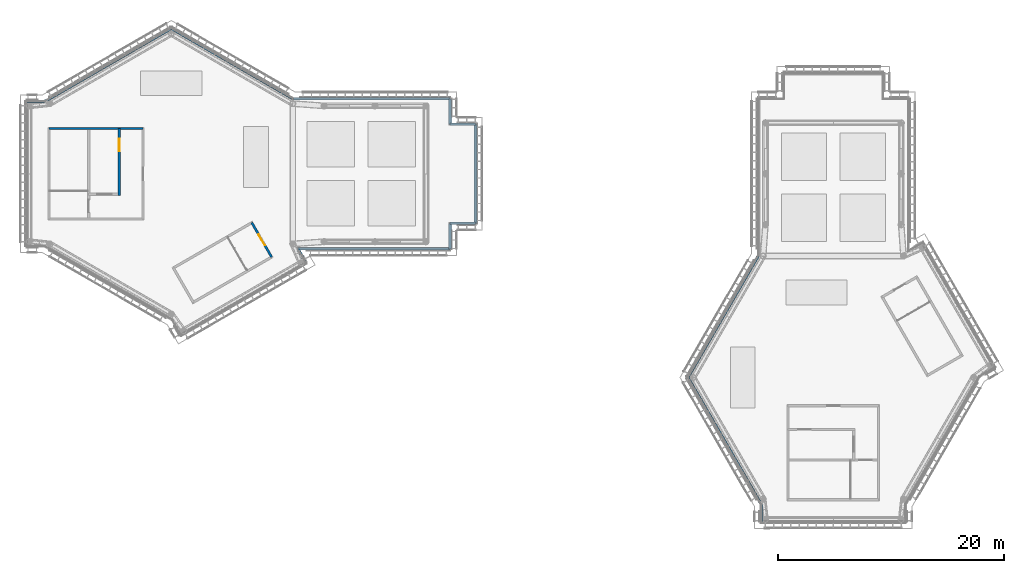
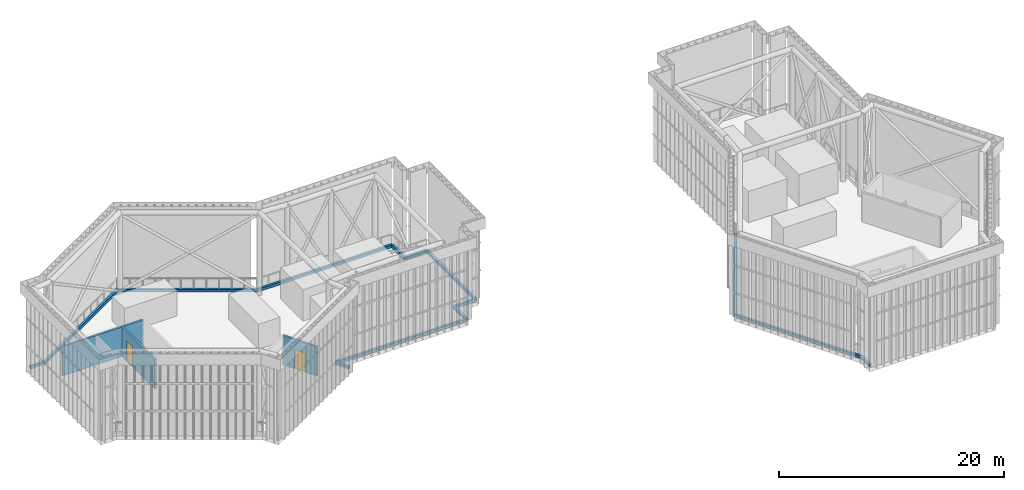
# One storey, part 8 of 17: 17 walls, 2 doors, 2 openings.
"""IFC4 building model written with IfcOpenShell, lengths in metres."""

import ifcopenshell
import ifcopenshell.guid

model = None  # the IFC model being written
_history = None  # IfcOwnerHistory: only IFC2X3 demands one
_inside = {}  # id of a spatial element -> (the spatial element, [elements in it])
_under = {}  # id of a project, library or spatial element -> (it, [spatial elements below it])
_declared = {}  # id of a project -> (the project, [libraries it declares])
_typed = {}  # id of a type object -> (the type object, [elements of that type])
_made_of = {}  # id of a material, layer set ... -> (it, [elements and type objects made of it])


def new_model(schema):
    """Start an empty IFC model of exactly this schema.

    Asked for "IFC4X3", IfcOpenShell would pick the latest addendum, in which some entities
    have other attributes; the version numbers below select the first issue.
    IFC2X3 requires an IfcOwnerHistory on every rooted entity: one is made here for all.
    """
    global model, _history
    if schema == "IFC4X3":
        model = ifcopenshell.file(schema_version=(4, 3, 0, 0))
    else:
        model = ifcopenshell.file(schema=schema)
    _inside.clear()
    _under.clear()
    _declared.clear()
    _typed.clear()
    _made_of.clear()
    _history = None
    if model.schema == "IFC2X3":
        org = make("IfcOrganization", Name="unknown")
        user = make(
            "IfcPersonAndOrganization",
            ThePerson=make("IfcPerson", FamilyName="unknown"),
            TheOrganization=org,
        )
        app = make(
            "IfcApplication",
            ApplicationDeveloper=org,
            Version="unknown",
            ApplicationFullName="unknown",
            ApplicationIdentifier="unknown",
        )
        _history = make(
            "IfcOwnerHistory",
            OwningUser=user,
            OwningApplication=app,
            ChangeAction="ADDED",
            CreationDate=0,
        )
    return model


def make(cls, **values):
    """One entity of the class cls with the attributes given. An attribute that is None is left unset."""
    return model.create_entity(
        cls, **{name: value for name, value in values.items() if value is not None}
    )


def rooted(cls, **values):
    """An entity with a GlobalId (a new one), such as an element, a storey or a relation."""
    return make(cls, GlobalId=ifcopenshell.guid.new(), OwnerHistory=_history, **values)


def si_unit(unit_type, name, prefix=None):
    """IfcSIUnit, for example si_unit("LENGTHUNIT", "METRE", prefix="MILLI")."""
    return make("IfcSIUnit", UnitType=unit_type, Prefix=prefix, Name=name)


def assignment(units):
    """IfcUnitAssignment: the units of a project."""
    return None if units is None else make("IfcUnitAssignment", Units=units)


def point(xyz):
    """IfcCartesianPoint."""
    return None if xyz is None else make("IfcCartesianPoint", Coordinates=xyz)


def direction(xyz):
    """IfcDirection."""
    return None if xyz is None else make("IfcDirection", DirectionRatios=xyz)


def frame(location, z_axis=None, x_axis=None):
    """IfcAxis2Placement3D, a coordinate frame: its origin and axes. An axis left out is left unset."""
    return make(
        "IfcAxis2Placement3D",
        Location=point(location),
        Axis=direction(z_axis),
        RefDirection=direction(x_axis),
    )


def frame_2d(location, x_axis=None):
    """IfcAxis2Placement2D, a coordinate frame in the plane: its origin and x axis."""
    return make(
        "IfcAxis2Placement2D", Location=point(location), RefDirection=direction(x_axis)
    )


def origin():
    """The frame at (0, 0, 0) with its axes left unset."""
    return frame((0.0, 0.0, 0.0))


def place(relative_to, where):
    """IfcLocalPlacement: puts the frame where relative to a parent placement (None: the world)."""
    return make(
        "IfcLocalPlacement", PlacementRelTo=relative_to, RelativePlacement=where
    )


def context(
    kind, dimensions, precision=None, world=None, true_north=None, identifier=None
):
    """IfcGeometricRepresentationContext, for example the 3D "Model" context."""
    return make(
        "IfcGeometricRepresentationContext",
        ContextIdentifier=identifier,
        ContextType=kind,
        CoordinateSpaceDimension=dimensions,
        Precision=precision,
        WorldCoordinateSystem=world,
        TrueNorth=true_north,
    )


def subcontext(parent, identifier, kind, view, scale=None):
    """IfcGeometricRepresentationSubContext, for example "Body" below "Model"."""
    return make(
        "IfcGeometricRepresentationSubContext",
        ContextIdentifier=identifier,
        ContextType=kind,
        ParentContext=parent,
        TargetScale=scale,
        TargetView=view,
    )


def project(units=None, contexts=None):
    """IfcProject with its units and contexts."""
    return rooted(
        "IfcProject",
        Name="project",
        RepresentationContexts=contexts,
        UnitsInContext=assignment(units),
    )


def spatial(cls, under=None, at=None, **own):
    """A site, building, storey or space (cls), placed at a placement, below another one or the project."""
    s = rooted(cls, ObjectPlacement=at, **own)
    if under is not None:
        _under.setdefault(under.id(), (under, []))[1].append(s)
    return s


def profile(cls, at=None, kind="AREA", **sizes):
    """A parametric profile (cls). Its sizes go by their IFC names, for example OverallWidth=200.0."""
    return make(cls, ProfileType=kind, Position=at, **sizes)


def rectangle(**sizes):
    """IfcRectangleProfileDef."""
    return profile("IfcRectangleProfileDef", **sizes)


def extrude(swept, where, along, depth):
    """IfcExtrudedAreaSolid: the profile swept, set in the frame where, extruded along a direction by depth."""
    return make(
        "IfcExtrudedAreaSolid",
        SweptArea=swept,
        Position=where,
        ExtrudedDirection=direction(along),
        Depth=depth,
    )


def shape(context_of_items, identifier, shape_type, items):
    """IfcShapeRepresentation: the items that make up one representation, for example the "Body"."""
    return make(
        "IfcShapeRepresentation",
        ContextOfItems=context_of_items,
        RepresentationIdentifier=identifier,
        RepresentationType=shape_type,
        Items=items,
    )


def material(Name=None, Category=None):
    """IfcMaterial."""
    return make("IfcMaterial", Name=Name, Category=Category)


def layer(
    of_material, thickness, ventilated=None, Name=None, Category=None, Priority=None
):
    """IfcMaterialLayer: one layer of a wall or slab, of a material (None: an air gap)."""
    return make(
        "IfcMaterialLayer",
        Material=of_material,
        LayerThickness=thickness,
        IsVentilated=ventilated,
        Name=Name,
        Category=Category,
        Priority=Priority,
    )


def layer_set(layers, Name=None):
    """IfcMaterialLayerSet."""
    return make("IfcMaterialLayerSet", MaterialLayers=layers, LayerSetName=Name)


def made_of(thing, what):
    """Note that an element or type object is made of a material, layer set ...; save() writes the relation."""
    if what is not None:
        _made_of.setdefault(what.id(), (what, []))[1].append(thing)
    return thing


def type_object(cls, material=None, **own):
    """A type object (cls), such as IfcWallType, which elements share."""
    return made_of(rooted(cls, **own), material)


def element(
    cls,
    number,
    at=None,
    inside=None,
    cuts=None,
    type_object=None,
    material=None,
    context=None,
    identifier="Body",
    shape_type=None,
    held_by="IfcProductDefinitionShape",
    body=None,
    shapes=None,
    **own,
):
    """One element of the class cls, such as IfcWall. Its Tag is "e" and its number.

    at: its placement. inside: the storey or other place that contains it. cuts: it is an
    opening in that element (IfcRelVoidsElement). A single representation is given by context,
    identifier, shape_type and body (its items); several are given by shapes. held_by: the class
    of the entity that holds the representations. save() writes the other relations.
    """
    e = rooted(cls, Tag="e%d" % number, ObjectPlacement=at, **own)
    if body is not None:
        shapes = [shape(context, identifier, shape_type, body)]
    if shapes is not None:
        e.Representation = make(held_by, Representations=shapes)
    if inside is not None:
        _inside.setdefault(inside.id(), (inside, []))[1].append(e)
    if cuts is not None:
        rooted(
            "IfcRelVoidsElement", RelatingBuildingElement=cuts, RelatedOpeningElement=e
        )
    if type_object is not None:
        _typed.setdefault(type_object.id(), (type_object, []))[1].append(e)
    return made_of(e, material)


def fill(opening, filler):
    """IfcRelFillsElement: the door or window that sits in an opening."""
    return rooted(
        "IfcRelFillsElement",
        RelatingOpeningElement=opening,
        RelatedBuildingElement=filler,
    )


def aggregate(whole, parts):
    """IfcRelAggregates: a whole, such as a stair, and the parts it consists of."""
    return rooted("IfcRelAggregates", RelatingObject=whole, RelatedObjects=parts)


def save(model, path):
    """Write the relations noted so far, then the file.

    IfcRelAggregates (storeys below a building ...), IfcRelContainedInSpatialStructure (elements
    in a storey), IfcRelDefinesByType, IfcRelAssociatesMaterial and IfcRelDeclares: one each for
    every whole, place, type object, material and project.
    """
    for whole, parts in _under.values():
        aggregate(whole, parts)
    for where, things in _inside.values():
        rooted(
            "IfcRelContainedInSpatialStructure",
            RelatedElements=things,
            RelatingStructure=where,
        )
    for kind, things in _typed.values():
        rooted("IfcRelDefinesByType", RelatedObjects=things, RelatingType=kind)
    for what, things in _made_of.values():
        rooted("IfcRelAssociatesMaterial", RelatedObjects=things, RelatingMaterial=what)
    for by, libraries in _declared.values():
        rooted("IfcRelDeclares", RelatingContext=by, RelatedDefinitions=libraries)
    model.write(path)


model = new_model("IFC4")

# Units and contexts
model_context = context("Model", 3, precision=1e-05, world=origin(), true_north=direction((0.0, 1.0)))
body_context = subcontext(model_context, "Body", "Model", "MODEL_VIEW")
ifc_project = project(units=[si_unit("LENGTHUNIT", "METRE"), si_unit("AREAUNIT", "SQUARE_METRE"), si_unit("VOLUMEUNIT", "CUBIC_METRE"), si_unit("PLANEANGLEUNIT", "RADIAN"), si_unit("MASSUNIT", "GRAM", prefix="KILO")], contexts=[model_context])

# Site, building, storey
site_placement = place(None, origin())
site = spatial("IfcSite", under=ifc_project, at=site_placement, CompositionType="ELEMENT")
building_placement = place(site_placement, origin())
building = spatial("IfcBuilding", under=site, at=building_placement, Name="Upepo Twin Towers", CompositionType="ELEMENT")
storey_placement = place(building_placement, frame((0.0, 0.0, 296.5)))
storey = spatial("IfcBuildingStorey", under=building, at=storey_placement, Name="RF", CompositionType="ELEMENT", Elevation=296.5)

# Wall
ifc_material_1 = material(Name="Concrete C40/50", Category="concrete")
ifc_layer_1 = layer(ifc_material_1, 0.199951171875)
ifc_layer_set_1 = layer_set([ifc_layer_1], Name="Concrete C40/50")
wall_type_1 = type_object("IfcWallType", Name="Podium stair enclosure 200 RC", PredefinedType="SHEAR", material=ifc_layer_set_1)
wall_1_placement = place(storey_placement, frame((-2.5, 4.0, 0.0), z_axis=(0.0, 0.0, 1.0), x_axis=(-1.0, 0.0, 0.0)))
element("IfcWall", 1, at=wall_1_placement, inside=storey, type_object=wall_type_1, Name="T1 core head-house wall 1", PredefinedType="SHEAR", context=body_context, shape_type="SweptSolid", body=[
    extrude(rectangle(XDim=8.308349609375, YDim=0.199951171875, at=frame_2d((4.154296875, 0.0))), origin(), (0.0, 0.0, 1.0), 3.199951171875),
])

# Wall, opening, door
wall_2_placement = place(storey_placement, frame((-4.60009765625, 4.0, 0.0), z_axis=(0.0, 0.0, 1.0), x_axis=(0.0, -1.0, 0.0)))
wall_2 = element("IfcWall", 2, at=wall_2_placement, inside=storey, type_object=wall_type_1, Name="T1 roof lift shaft front wall", PredefinedType="SHEAR", context=body_context, shape_type="SweptSolid", body=[
    extrude(rectangle(XDim=5.89990234375, YDim=0.199951171875, at=frame_2d((2.949951171875, 0.0))), origin(), (0.0, 0.0, 1.0), 3.199951171875),
])
opening_1_placement = place(wall_2_placement, frame((0.89990234375, 0.0, 0.0)))
opening_1 = element("IfcOpeningElement", 3, at=opening_1_placement, cuts=wall_2, Name="Opening LD1", PredefinedType="OPENING", context=body_context, shape_type="SweptSolid", body=[
    extrude(rectangle(XDim=1.10009765625, YDim=2.199951171875, at=frame_2d((0.550048828125, 1.10009765625))), frame((0.0, 0.10986328125, 0.0), z_axis=(0.0, -1.0, 0.0), x_axis=(1.0, 0.0, 0.0)), (0.0, 0.0, 1.0), 0.219970703125),
])
ifc_material_2 = material(Name="Steel doorset", Category="steel")
door_type_1 = type_object("IfcDoorType", Name="Lift landing door 1100", OperationType="DOUBLE_DOOR_SLIDING", PredefinedType="DOOR", material=ifc_material_2)
door_1_placement = place(opening_1_placement, origin())
door_1 = element("IfcDoor", 4, at=door_1_placement, inside=storey, type_object=door_type_1, Name="T1 RF lift SV1 landing door", OperationType="DOUBLE_DOOR_SLIDING", OverallHeight=2.199951171875, OverallWidth=1.10009765625, PredefinedType="DOOR", context=body_context, shape_type="SweptSolid", body=[
    extrude(rectangle(XDim=1.10009765625, YDim=2.199951171875, at=frame_2d((0.550048828125, 1.10009765625))), frame((0.0, 0.02490234375, 0.0), z_axis=(0.0, -1.0, 0.0), x_axis=(1.0, 0.0, 0.0)), (0.0, 0.0, 1.0), 0.050048828125),
])
fill(opening_1, door_1)

wall_3_placement = place(storey_placement, frame((8.8681640625, -7.3603515625, 0.0), z_axis=(0.0, 0.0, 1.0), x_axis=(-0.499993523031, 0.866029143232, 0.0)))
wall_3 = element("IfcWall", 5, at=wall_3_placement, inside=storey, type_object=wall_type_1, Name="T1 stair S2 head-house wall 3", PredefinedType="SHEAR", context=body_context, shape_type="SweptSolid", body=[
    extrude(rectangle(XDim=3.50830078125, YDim=0.199951171875, at=frame_2d((1.754150390625, 0.0))), origin(), (0.0, 0.0, 1.0), 3.199951171875),
])
opening_2_placement = place(wall_3_placement, frame((1.2041015625, 0.0, 0.0)))
opening_2 = element("IfcOpeningElement", 6, at=opening_2_placement, cuts=wall_3, Name="Opening D3", PredefinedType="OPENING", context=body_context, shape_type="SweptSolid", body=[
    extrude(rectangle(XDim=1.10009765625, YDim=2.10009765625, at=frame_2d((0.550048828125, 1.050048828125))), frame((0.0, 0.10986328125, 0.0), z_axis=(0.0, -1.0, 0.0), x_axis=(1.0, 0.0, 0.0)), (0.0, 0.0, 1.0), 0.219970703125),
])
ifc_material_3 = material(Name="Timber doorset", Category="wood")
door_type_2 = type_object("IfcDoorType", Name="Stair door 1100 FD60", OperationType="SINGLE_SWING_LEFT", PredefinedType="DOOR", material=ifc_material_3)
door_2_placement = place(opening_2_placement, origin())
door_2 = element("IfcDoor", 7, at=door_2_placement, inside=storey, type_object=door_type_2, Name="T1 stair S2 roof door", OperationType="SINGLE_SWING_RIGHT", OverallHeight=2.10009765625, OverallWidth=1.10009765625, PredefinedType="DOOR", context=body_context, shape_type="SweptSolid", body=[
    extrude(rectangle(XDim=1.10009765625, YDim=2.10009765625, at=frame_2d((0.550048828125, 1.050048828125))), frame((0.0, 0.02490234375, 0.0), z_axis=(0.0, -1.0, 0.0), x_axis=(1.0, 0.0, 0.0)), (0.0, 0.0, 1.0), 0.050048828125),
])
fill(opening_2, door_2)

# Walls
ifc_material_4 = material(Name="Concrete C40/50", Category="concrete")
ifc_layer_2 = layer(ifc_material_4, 0.25)
ifc_layer_set_2 = layer_set([ifc_layer_2], Name="Concrete C40/50")
wall_type_2 = type_object("IfcWallType", Name="Roof parapet 250 RC", PredefinedType="PARAPET", material=ifc_layer_set_2)
wall_4_placement = place(storey_placement, frame((-12.7333984375, 6.375, 0.0), z_axis=(0.0, 0.0, 1.0), x_axis=(1.0, 0.0, 0.0)))
element("IfcWall", 8, at=wall_4_placement, inside=storey, type_object=wall_type_2, Name="T1 roof parapet 6", PredefinedType="PARAPET", context=body_context, shape_type="SweptSolid", body=[
    extrude(rectangle(XDim=1.508544921875, YDim=0.25, at=frame_2d((0.75439453125, 0.0))), origin(), (0.0, 0.0, 1.0), 0.300048828125),
])
wall_5_placement = place(storey_placement, frame((-11.224853515625, 6.375, 0.0), z_axis=(0.0, 0.0, 1.0), x_axis=(0.866024044353, 0.500002354598, 0.0)))
element("IfcWall", 9, at=wall_5_placement, inside=storey, type_object=wall_type_2, Name="T1 roof parapet 7", PredefinedType="PARAPET", context=body_context, shape_type="SweptSolid", body=[
    extrude(rectangle(XDim=12.96142578125, YDim=0.25, at=frame_2d((6.480712890625, 0.0))), origin(), (0.0, 0.0, 1.0), 0.300048828125),
])
wall_6_placement = place(storey_placement, frame((0.0, 12.855712890625, 0.0), z_axis=(0.0, 0.0, 1.0), x_axis=(0.866022128681, -0.500005672603, 0.0)))
element("IfcWall", 10, at=wall_6_placement, inside=storey, type_object=wall_type_2, Name="T1 roof parapet 8", PredefinedType="PARAPET", context=body_context, shape_type="SweptSolid", body=[
    extrude(rectangle(XDim=12.461181640625, YDim=0.25, at=frame_2d((6.23046875, 0.0))), origin(), (0.0, 0.0, 1.0), 0.300048828125),
])
wall_7_placement = place(storey_placement, frame((10.791748046875, 6.625, 0.0), z_axis=(0.0, 0.0, 1.0), x_axis=(1.0, 0.0, 0.0)))
element("IfcWall", 11, at=wall_7_placement, inside=storey, type_object=wall_type_2, Name="T1 roof parapet 9", PredefinedType="PARAPET", context=body_context, shape_type="SweptSolid", body=[
    extrude(rectangle(XDim=13.833251953125, YDim=0.25, at=frame_2d((6.91650390625, 0.0))), origin(), (0.0, 0.0, 1.0), 0.300048828125),
])
for number, where, z_axis, x_axis, name in (
    (12, (24.625, 6.625, 0.0), (0.0, 0.0, 1.0), (0.0, -1.0, 0.0), "T1 roof parapet 10"),
    (13, (24.625, 4.375, 0.0), (0.0, 0.0, 1.0), (1.0, 0.0, 0.0), "T1 roof parapet 11"),
):
    element("IfcWall", number, at=place(storey_placement, frame(where, z_axis=z_axis, x_axis=x_axis)), inside=storey, type_object=wall_type_2, Name=name, PredefinedType="PARAPET", context=body_context, shape_type="SweptSolid", body=[
        extrude(rectangle(XDim=2.25, YDim=0.25, at=frame_2d((1.125, 0.0))), origin(), (0.0, 0.0, 1.0), 0.300048828125),
    ])
wall_8_placement = place(storey_placement, frame((26.875, 4.375, 0.0), z_axis=(0.0, 0.0, 1.0), x_axis=(0.0, -1.0, 0.0)))
element("IfcWall", 14, at=wall_8_placement, inside=storey, type_object=wall_type_2, Name="T1 roof parapet 12", PredefinedType="PARAPET", context=body_context, shape_type="SweptSolid", body=[
    extrude(rectangle(XDim=8.75, YDim=0.25, at=frame_2d((4.375, 0.0))), origin(), (0.0, 0.0, 1.0), 0.300048828125),
])
for number, where, z_axis, x_axis, name in (
    (15, (26.875, -4.375, 0.0), (0.0, 0.0, 1.0), (-1.0, 0.0, 0.0), "T1 roof parapet 13"),
    (16, (24.625, -4.375, 0.0), (0.0, 0.0, 1.0), (0.0, -1.0, 0.0), "T1 roof parapet 14"),
):
    element("IfcWall", number, at=place(storey_placement, frame(where, z_axis=z_axis, x_axis=x_axis)), inside=storey, type_object=wall_type_2, Name=name, PredefinedType="PARAPET", context=body_context, shape_type="SweptSolid", body=[
        extrude(rectangle(XDim=2.25, YDim=0.25, at=frame_2d((1.125, 0.0))), origin(), (0.0, 0.0, 1.0), 0.300048828125),
    ])
wall_9_placement = place(storey_placement, frame((24.625, -6.625, 0.0), z_axis=(0.0, 0.0, 1.0), x_axis=(-1.0, 0.0, 0.0)))
element("IfcWall", 17, at=wall_9_placement, inside=storey, type_object=wall_type_2, Name="T1 roof parapet 15", PredefinedType="PARAPET", context=body_context, shape_type="SweptSolid", body=[
    extrude(rectangle(XDim=13.438720703125, YDim=0.25, at=frame_2d((6.71923828125, 0.0))), origin(), (0.0, 0.0, 1.0), 0.300048828125),
])
wall_10_placement = place(storey_placement, frame((11.186279296875, -6.625, 0.0), z_axis=(0.0, 0.0, 1.0), x_axis=(0.500013713398, -0.866017486206, 0.0)))
element("IfcWall", 18, at=wall_10_placement, inside=storey, type_object=wall_type_2, Name="T1 roof parapet 16", PredefinedType="PARAPET", context=body_context, shape_type="SweptSolid", body=[
    extrude(rectangle(XDim=1.40283203125, YDim=0.25, at=frame_2d((0.701416015625, 0.0))), origin(), (0.0, 0.0, 1.0), 0.300048828125),
])
wall_11_placement = place(storey_placement, frame((52.125, -30.7333984375, 0.0), z_axis=(0.0, 0.0, 1.0), x_axis=(0.0, 1.0, 0.0)))
element("IfcWall", 19, at=wall_11_placement, inside=storey, type_object=wall_type_2, Name="T2 roof parapet 6", PredefinedType="PARAPET", context=body_context, shape_type="SweptSolid", body=[
    extrude(rectangle(XDim=1.508544921875, YDim=0.25, at=frame_2d((0.75439453125, 0.0))), origin(), (0.0, 0.0, 1.0), 0.300048828125),
])
wall_12_placement = place(storey_placement, frame((52.125, -29.224853515625, 0.0), z_axis=(0.0, 0.0, 1.0), x_axis=(-0.500002354598, 0.866024044353, 0.0)))
element("IfcWall", 20, at=wall_12_placement, inside=storey, type_object=wall_type_2, Name="T2 roof parapet 7", PredefinedType="PARAPET", context=body_context, shape_type="SweptSolid", body=[
    extrude(rectangle(XDim=12.96142578125, YDim=0.25, at=frame_2d((6.480712890625, 0.0))), origin(), (0.0, 0.0, 1.0), 0.300048828125),
])
wall_13_placement = place(storey_placement, frame((45.644287109375, -18.0, 0.0), z_axis=(0.0, 0.0, 1.0), x_axis=(0.500005672603, 0.866022128681, 0.0)))
element("IfcWall", 21, at=wall_13_placement, inside=storey, type_object=wall_type_2, Name="T2 roof parapet 8", PredefinedType="PARAPET", context=body_context, shape_type="SweptSolid", body=[
    extrude(rectangle(XDim=12.461181640625, YDim=0.25, at=frame_2d((6.23046875, 0.0))), origin(), (0.0, 0.0, 1.0), 0.300048828125),
])

save(model, "model.ifc")
